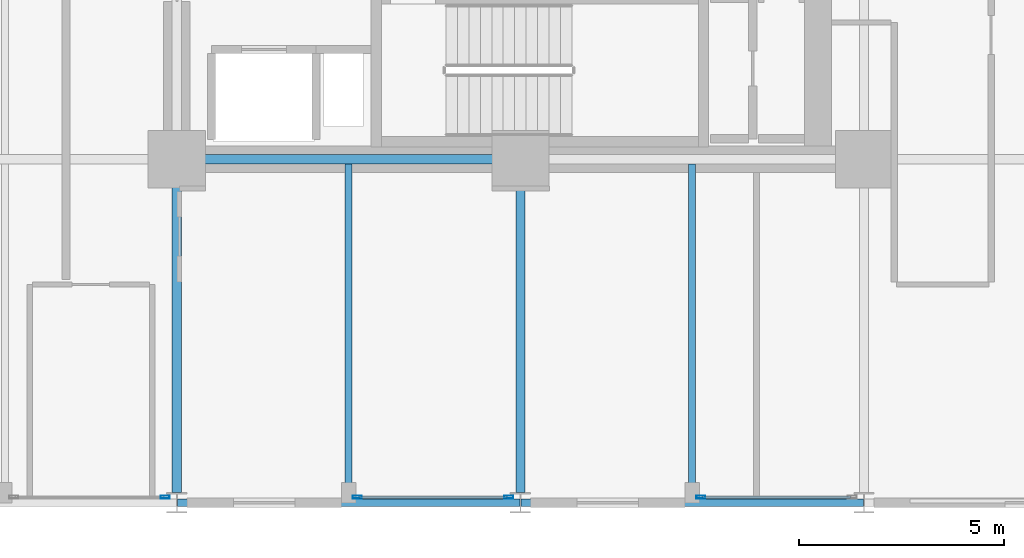
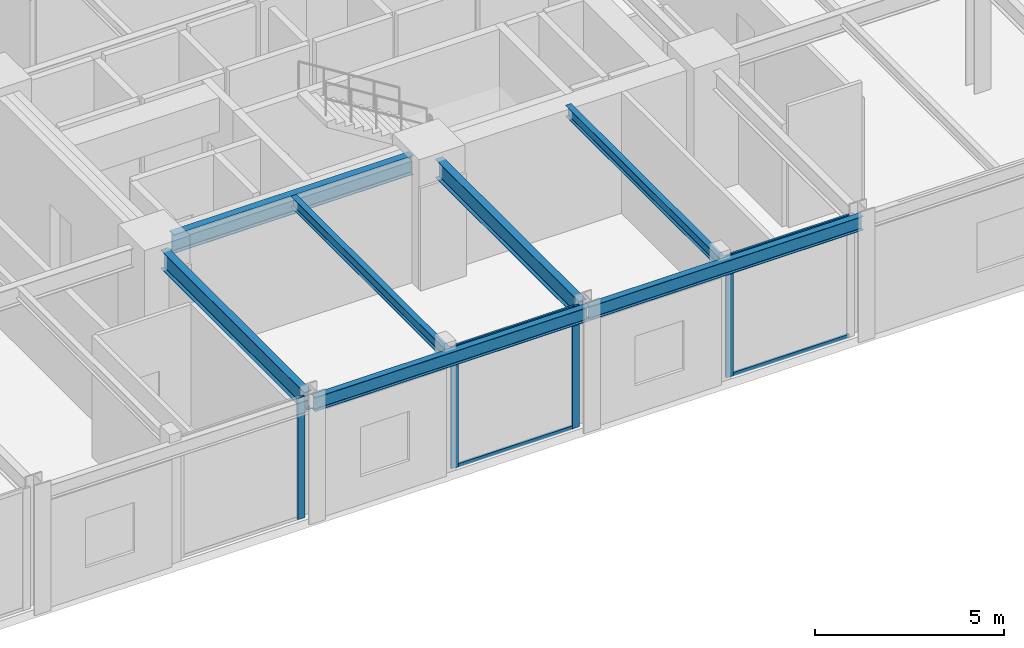
# One storey, part 4 of 24: 8 members, 7 beams, 3 elements without a shape of their own.
"""IFC4 building model written with IfcOpenShell, lengths in metres."""

from ifc_helpers import new_model, si_unit, direction, frame, origin, origin_2d, place, context, subcontext, project, spatial, hollow_rectangle, i_section, extrude, material, layer, layer_set, material_profile, profile_set, type_object, element, aggregate, save


model = new_model("IFC4")

# Units and contexts
model_context = context("Model", 3, precision=1e-05, world=origin(), true_north=direction((0.0, 1.0)))
body_context = subcontext(model_context, "Body", "Model", "MODEL_VIEW")
ifc_project = project(units=[si_unit("LENGTHUNIT", "METRE"), si_unit("AREAUNIT", "SQUARE_METRE"), si_unit("VOLUMEUNIT", "CUBIC_METRE"), si_unit("PLANEANGLEUNIT", "RADIAN"), si_unit("MASSUNIT", "GRAM", prefix="KILO")], contexts=[model_context])

# Site, building, storey
site_placement = place(None, origin())
site = spatial("IfcSite", under=ifc_project, at=site_placement, CompositionType="ELEMENT")
building_placement = place(site_placement, origin())
building = spatial("IfcBuilding", under=site, at=building_placement, Name="Nerrivon Quay Data Exchange", CompositionType="ELEMENT")
storey_placement = place(building_placement, frame((0.0, 0.0, 50.0)))
storey = spatial("IfcBuildingStorey", under=building, at=storey_placement, Name="L11", CompositionType="ELEMENT", Elevation=50.0)

# Beams
ifc_material_1 = material(Name="Steel Grade 350", Category="steel")
ifc_material_profile_1 = material_profile(ifc_material_1, i_section(OverallWidth=0.22900390625, OverallDepth=0.612060546875, WebThickness=0.011962890625, FlangeThickness=0.01953125, FilletRadius=0.013916015625, at=origin_2d()), Name="610UB125")
ifc_profile_set_1 = profile_set([ifc_material_profile_1], Name="Steel Grade 350")
beam_type_1 = type_object("IfcBeamType", Name="BM-G1-610UB125", PredefinedType="BEAM", material=ifc_profile_set_1)
beam_1_placement = place(storey_placement, frame((17.340087890625, 8.39990234375, 3.618896484375), z_axis=(1.0, 0.0, 0.0), x_axis=(0.0, 1.0, 0.0)))
element("IfcBeam", 1, at=beam_1_placement, inside=storey, type_object=beam_type_1, Name="L11 EW Girder Y=8.4 (16.8..25.2)", PredefinedType="BEAM", context=body_context, shape_type="SweptSolid", body=[
    extrude(i_section(OverallWidth=0.22900390625, OverallDepth=0.612060546875, WebThickness=0.011962890625, FlangeThickness=0.01953125, FilletRadius=0.013916015625, at=origin_2d()), origin(), (0.0, 0.0, 1.0), 7.31982421875),
])
ifc_material_profile_2 = material_profile(ifc_material_1, i_section(OverallWidth=0.22802734375, OverallDepth=0.60205078125, WebThickness=0.010498046875, FlangeThickness=0.014892578125, FilletRadius=0.013916015625, at=origin_2d()), Name="610UB101")
ifc_profile_set_2 = profile_set([ifc_material_profile_2], Name="Steel Grade 350")
beam_type_2 = type_object("IfcBeamType", Name="BM-G2-610UB101", PredefinedType="BEAM", material=ifc_profile_set_2)
for number, where, z_axis, x_axis, name in (
    (2, (16.800048828125, 0.25, 3.6240234375), (0.0, 1.0, 0.0), (-1.0, 0.0, 0.0), "L11 NS Girder X=16.8 (0.0..8.4)"),
    (3, (25.199951171875, 0.25, 3.6240234375), (0.0, 1.0, 0.0), (-1.0, 0.0, 0.0), "L11 NS Girder X=25.2 (0.0..8.4)"),
):
    element("IfcBeam", number, at=place(storey_placement, frame(where, z_axis=z_axis, x_axis=x_axis)), inside=storey, type_object=beam_type_2, Name=name, PredefinedType="BEAM", context=body_context, shape_type="SweptSolid", body=[
        extrude(i_section(OverallWidth=0.22802734375, OverallDepth=0.60205078125, WebThickness=0.010498046875, FlangeThickness=0.014892578125, FilletRadius=0.013916015625, at=origin_2d()), origin(), (0.0, 0.0, 1.0), 7.610107421875),
    ])
ifc_material_profile_3 = material_profile(ifc_material_1, i_section(OverallWidth=0.172119140625, OverallDepth=0.35888671875, WebThickness=0.008056640625, FlangeThickness=0.012939453125, FilletRadius=0.011474609375, at=origin_2d()), Name="360UB56.7")
ifc_profile_set_3 = profile_set([ifc_material_profile_3], Name="Steel Grade 350")
beam_type_3 = type_object("IfcBeamType", Name="BM-J3-360UB57", PredefinedType="JOIST", material=ifc_profile_set_3)
for number, where, z_axis, x_axis, name in (
    (4, (21.0, 0.094970703125, 3.74560546875), (0.0, 1.0, 0.0), (-1.0, 0.0, 0.0), "L11 Secondary Joist X=21.0 (0.0..8.4)"),
    (5, (29.39990234375, 0.094970703125, 3.74560546875), (0.0, 1.0, 0.0), (-1.0, 0.0, 0.0), "L11 Secondary Joist X=29.4 (0.0..8.4)"),
):
    element("IfcBeam", number, at=place(storey_placement, frame(where, z_axis=z_axis, x_axis=x_axis)), inside=storey, type_object=beam_type_3, Name=name, PredefinedType="JOIST", context=body_context, shape_type="SweptSolid", body=[
        extrude(i_section(OverallWidth=0.172119140625, OverallDepth=0.35888671875, WebThickness=0.008056640625, FlangeThickness=0.012939453125, FilletRadius=0.011474609375, at=origin_2d()), origin(), (0.0, 0.0, 1.0), 8.1904296875),
    ])
ifc_material_profile_4 = material_profile(ifc_material_1, i_section(OverallWidth=0.18994140625, OverallDepth=0.4541015625, WebThickness=0.008544921875, FlangeThickness=0.0126953125, FilletRadius=0.011474609375, at=origin_2d()), Name="460UB67.1")
ifc_profile_set_4 = profile_set([ifc_material_profile_4], Name="Steel Grade 350")
beam_type_4 = type_object("IfcBeamType", Name="BM-SP1-460UB67", PredefinedType="SPANDREL", material=ifc_profile_set_4)
beam_2_placement = place(storey_placement, frame((16.81396484375, 0.0, 3.697998046875), z_axis=(1.0, 0.0, 0.0), x_axis=(0.0, 1.0, 0.0)))
element("IfcBeam", 6, at=beam_2_placement, inside=storey, type_object=beam_type_4, Name="L11 EW Girder Y=0.0 (16.8..25.2)", PredefinedType="SPANDREL", context=body_context, shape_type="SweptSolid", body=[
    extrude(i_section(OverallWidth=0.18994140625, OverallDepth=0.4541015625, WebThickness=0.008544921875, FlangeThickness=0.0126953125, FilletRadius=0.011474609375, at=origin_2d()), origin(), (0.0, 0.0, 1.0), 8.3720703125),
])
beam_3_placement = place(storey_placement, frame((25.214111328125, 0.0, 3.697998046875), z_axis=(1.0, 0.0, 0.0), x_axis=(0.0, 1.0, 0.0)))
element("IfcBeam", 7, at=beam_3_placement, inside=storey, type_object=beam_type_4, Name="L11 EW Girder Y=0.0 (25.2..33.6)", PredefinedType="SPANDREL", context=body_context, shape_type="SweptSolid", body=[
    extrude(i_section(OverallWidth=0.18994140625, OverallDepth=0.4541015625, WebThickness=0.008544921875, FlangeThickness=0.0126953125, FilletRadius=0.011474609375, at=origin_2d()), origin(), (0.0, 0.0, 1.0), 8.371826171875),
])

# Curtain wall, member
ifc_material_2 = material(Name="Anodised aluminium 6063-T6", Category="aluminium")
ifc_layer = layer(ifc_material_2, 0.219970703125)
ifc_layer_set = layer_set([ifc_layer], Name="Anodised aluminium 6063-T6")
curtain_wall_type = type_object("IfcCurtainWallType", Name="CW-SYS-01", PredefinedType="NOTDEFINED", material=ifc_layer_set)
curtain_wall_1_placement = place(storey_placement, origin())
curtain_wall_1 = element("IfcCurtainWall", 8, at=curtain_wall_1_placement, inside=storey, type_object=curtain_wall_type, Name="L11 Unitised Curtain Wall 4", PredefinedType="NOTDEFINED")
ifc_material_profile_5 = material_profile(ifc_material_2, hollow_rectangle(XDim=0.074951171875, YDim=0.219970703125, WallThickness=0.00390625, at=origin_2d()), Name="ALU-MULL-220x75")
ifc_profile_set_5 = profile_set([ifc_material_profile_5], Name="Anodised aluminium 6063-T6")
member_type_1 = type_object("IfcMemberType", Name="CWM-220x75", PredefinedType="MULLION", material=ifc_profile_set_5)
member_1_placement = place(storey_placement, frame((29.612548828125, 0.139892578125, 0.0), z_axis=(0.0, 0.0, 1.0), x_axis=(0.0, -1.0, 0.0)))
member_1 = element("IfcMember", 9, at=member_1_placement, type_object=member_type_1, Name="CW01 mullion 2", PredefinedType="MULLION", context=body_context, shape_type="SweptSolid", body=[
    extrude(hollow_rectangle(XDim=0.074951171875, YDim=0.219970703125, WallThickness=0.00390625, at=origin_2d()), origin(), (0.0, 0.0, 1.0), 3.925048828125),
])

# Curtain wall, members
curtain_wall_2_placement = place(storey_placement, origin())
curtain_wall_2 = element("IfcCurtainWall", 10, at=curtain_wall_2_placement, inside=storey, type_object=curtain_wall_type, Name="L11 Unitised Curtain Wall 6", PredefinedType="NOTDEFINED")
member_2_placement = place(storey_placement, frame((24.91259765625, 0.139892578125, 0.0), z_axis=(0.0, 0.0, 1.0), x_axis=(0.0, -1.0, 0.0)))
member_2 = element("IfcMember", 11, at=member_2_placement, type_object=member_type_1, Name="CW01 mullion 1", PredefinedType="MULLION", context=body_context, shape_type="SweptSolid", body=[
    extrude(hollow_rectangle(XDim=0.074951171875, YDim=0.219970703125, WallThickness=0.00390625, at=origin_2d()), origin(), (0.0, 0.0, 1.0), 3.925048828125),
])
member_3_placement = place(storey_placement, frame((21.21240234375, 0.139892578125, 0.0), z_axis=(0.0, 0.0, 1.0), x_axis=(0.0, -1.0, 0.0)))
member_3 = element("IfcMember", 12, at=member_3_placement, type_object=member_type_1, Name="CW01 mullion 2", PredefinedType="MULLION", context=body_context, shape_type="SweptSolid", body=[
    extrude(hollow_rectangle(XDim=0.074951171875, YDim=0.219970703125, WallThickness=0.00390625, at=origin_2d()), origin(), (0.0, 0.0, 1.0), 3.925048828125),
])

# Curtain wall, member
curtain_wall_3_placement = place(storey_placement, origin())
curtain_wall_3 = element("IfcCurtainWall", 13, at=curtain_wall_3_placement, inside=storey, type_object=curtain_wall_type, Name="L11 Unitised Curtain Wall 8", PredefinedType="NOTDEFINED")
member_4_placement = place(storey_placement, frame((16.512451171875, 0.139892578125, 0.0), z_axis=(0.0, 0.0, 1.0), x_axis=(0.0, -1.0, 0.0)))
member_4 = element("IfcMember", 14, at=member_4_placement, type_object=member_type_1, Name="CW01 mullion 1", PredefinedType="MULLION", context=body_context, shape_type="SweptSolid", body=[
    extrude(hollow_rectangle(XDim=0.074951171875, YDim=0.219970703125, WallThickness=0.00390625, at=origin_2d()), origin(), (0.0, 0.0, 1.0), 3.925048828125),
])
aggregate(curtain_wall_3, [member_4])

# Member
ifc_material_profile_6 = material_profile(ifc_material_2, hollow_rectangle(XDim=0.06005859375, YDim=0.1201171875, WallThickness=0.003173828125, at=origin_2d()), Name="ALU-TRAN-120x60")
ifc_profile_set_6 = profile_set([ifc_material_profile_6], Name="Anodised aluminium 6063-T6")
member_type_2 = type_object("IfcMemberType", Name="CWT-120x60", PredefinedType="USERDEFINED", material=ifc_profile_set_6)
member_5_placement = place(storey_placement, frame((33.27490234375, 0.139892578125, 0.032470703125), z_axis=(-1.0, 0.0, 0.0), x_axis=(0.0, -1.0, 0.0)))
member_5 = element("IfcMember", 15, at=member_5_placement, type_object=member_type_2, Name="CW01 transom 1.1", ObjectType="TRANSOM", PredefinedType="USERDEFINED", context=body_context, shape_type="SweptSolid", body=[
    extrude(hollow_rectangle(XDim=0.06005859375, YDim=0.1201171875, WallThickness=0.003173828125, at=origin_2d()), origin(), (0.0, 0.0, 1.0), 3.625),
])

member_6_placement = place(storey_placement, frame((33.27490234375, 0.139892578125, 3.892578125), z_axis=(-1.0, 0.0, 0.0), x_axis=(0.0, -1.0, 0.0)))
member_6 = element("IfcMember", 16, at=member_6_placement, type_object=member_type_2, Name="CW01 transom 1.2", ObjectType="TRANSOM", PredefinedType="USERDEFINED", context=body_context, shape_type="SweptSolid", body=[
    extrude(hollow_rectangle(XDim=0.06005859375, YDim=0.1201171875, WallThickness=0.003173828125, at=origin_2d()), origin(), (0.0, 0.0, 1.0), 3.625),
])

aggregate(curtain_wall_1, [member_1, member_5, member_6])

member_7_placement = place(storey_placement, frame((24.875, 0.139892578125, 0.032470703125), z_axis=(-1.0, 0.0, 0.0), x_axis=(0.0, -1.0, 0.0)))
member_7 = element("IfcMember", 17, at=member_7_placement, type_object=member_type_2, Name="CW01 transom 1.1", ObjectType="TRANSOM", PredefinedType="USERDEFINED", context=body_context, shape_type="SweptSolid", body=[
    extrude(hollow_rectangle(XDim=0.06005859375, YDim=0.1201171875, WallThickness=0.003173828125, at=origin_2d()), origin(), (0.0, 0.0, 1.0), 3.625),
])

member_8_placement = place(storey_placement, frame((24.875, 0.139892578125, 3.892578125), z_axis=(-1.0, 0.0, 0.0), x_axis=(0.0, -1.0, 0.0)))
member_8 = element("IfcMember", 18, at=member_8_placement, type_object=member_type_2, Name="CW01 transom 1.2", ObjectType="TRANSOM", PredefinedType="USERDEFINED", context=body_context, shape_type="SweptSolid", body=[
    extrude(hollow_rectangle(XDim=0.06005859375, YDim=0.1201171875, WallThickness=0.003173828125, at=origin_2d()), origin(), (0.0, 0.0, 1.0), 3.625),
])

aggregate(curtain_wall_2, [member_2, member_3, member_7, member_8])

save(model, "model.ifc")
